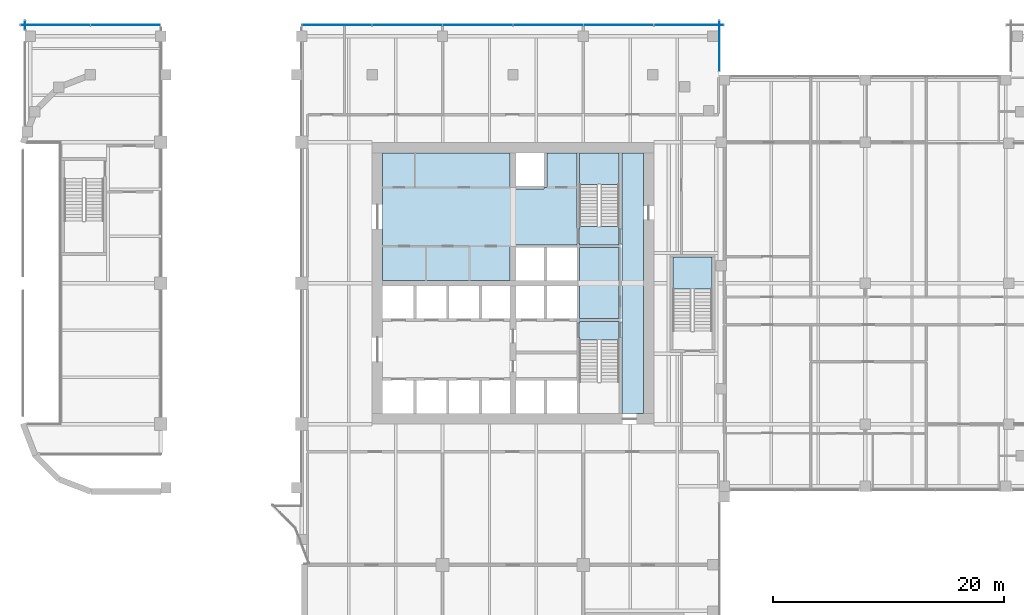
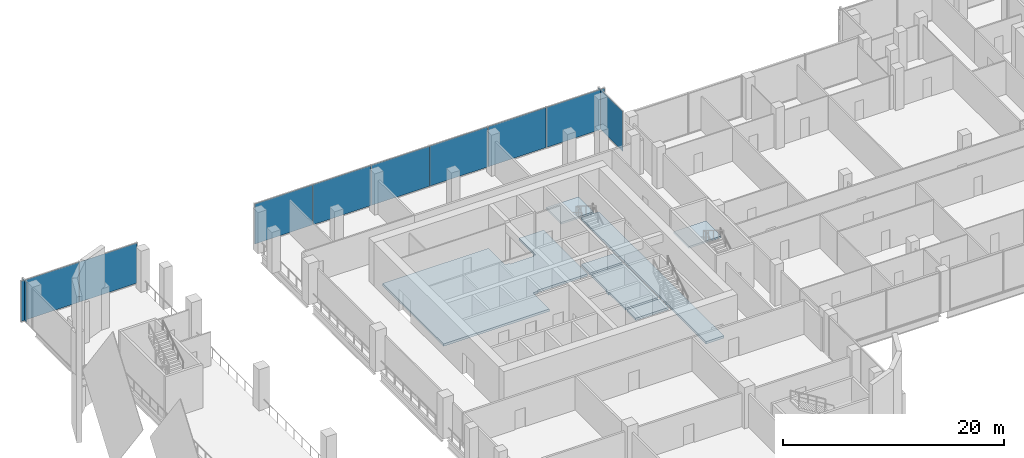
# One storey, part 19 of 33: 10 plates, 7 slabs, 6 elements without a shape of their own.
"""IFC4 building model written with IfcOpenShell, lengths in metres."""

from ifc_helpers import new_model, si_unit, direction, frame, origin, origin_2d, place, context, subcontext, project, spatial, polyline, rectangle, outline, extrude, material, layer, layer_set, type_object, element, aggregate, save


model = new_model("IFC4")

# Units and contexts
model_context = context("Model", 3, precision=1e-05, world=origin(), true_north=direction((0.0, 1.0)))
body_context = subcontext(model_context, "Body", "Model", "MODEL_VIEW")
ifc_project = project(units=[si_unit("LENGTHUNIT", "METRE"), si_unit("AREAUNIT", "SQUARE_METRE"), si_unit("VOLUMEUNIT", "CUBIC_METRE"), si_unit("PLANEANGLEUNIT", "RADIAN"), si_unit("MASSUNIT", "GRAM", prefix="KILO")], contexts=[model_context])

# Site, building, storey
site_placement = place(None, origin())
site = spatial("IfcSite", under=ifc_project, at=site_placement, CompositionType="ELEMENT")
building_placement = place(site_placement, origin())
building = spatial("IfcBuilding", under=site, at=building_placement, Name="Tessera Gate Towers", CompositionType="ELEMENT")
storey_placement = place(building_placement, frame((0.0, 0.0, 7.199951171875)))
storey = spatial("IfcBuildingStorey", under=building, at=storey_placement, Name="L01", CompositionType="ELEMENT", Elevation=7.199951171875)

# Slabs
ifc_material_1 = material(Name="Concrete C35/45", Category="concrete")
ifc_layer_1 = layer(ifc_material_1, 0.25)
ifc_layer_set_1 = layer_set([ifc_layer_1], Name="CORE FLOOR SLAB 250")
slab_type_1 = type_object("IfcSlabType", Name="CORE FLOOR SLAB 250", PredefinedType="FLOOR", material=ifc_layer_set_1)
slab_1_placement = place(storey_placement, frame((0.0, 0.0, -0.25)))
element("IfcSlab", 1, at=slab_1_placement, inside=storey, type_object=slab_type_1, Name="L01 core floor slab", PredefinedType="FLOOR", context=body_context, shape_type="SweptSolid", body=[
    extrude(outline(polyline([(31.39990234375, 47.89990234375), (31.39990234375, 36.85009765625), (42.449951171875, 36.85009765625), (42.449951171875, 39.800048828125), (42.949951171875, 39.800048828125), (42.949951171875, 39.925048828125), (48.22509765625, 39.925048828125), (48.22509765625, 47.89990234375), (45.64990234375, 47.89990234375), (45.64990234375, 44.89990234375), (45.39990234375, 44.89990234375), (45.39990234375, 44.77490234375), (42.949951171875, 44.77490234375), (42.949951171875, 44.89990234375), (42.449951171875, 44.89990234375), (42.449951171875, 47.89990234375), (31.39990234375, 47.89990234375)])), origin(), (0.0, 0.0, 1.0), 0.25),
])
slab_2_placement = place(storey_placement, frame((0.0, 0.0, -0.25)))
element("IfcSlab", 2, at=slab_2_placement, inside=storey, type_object=slab_type_1, Name="L01 core floor slab", PredefinedType="FLOOR", context=body_context, shape_type="SweptSolid", body=[
    extrude(outline(polyline([(52.125, 25.300048828125), (54.0, 25.300048828125), (54.0, 47.89990234375), (52.125, 47.89990234375), (52.125, 25.300048828125)])), origin(), (0.0, 0.0, 1.0), 0.25),
])
slab_3_placement = place(storey_placement, frame((0.0, 0.0, -0.25)))
element("IfcSlab", 3, at=slab_3_placement, inside=storey, type_object=slab_type_1, Name="L01 core floor slab", PredefinedType="FLOOR", context=body_context, shape_type="SweptSolid", body=[
    extrude(outline(polyline([(48.35009765625, 36.85009765625), (48.35009765625, 36.35009765625), (48.47509765625, 36.35009765625), (48.47509765625, 33.52490234375), (51.875, 33.52490234375), (51.875, 39.675048828125), (48.47509765625, 39.675048828125), (48.47509765625, 36.85009765625), (48.35009765625, 36.85009765625)])), origin(), (0.0, 0.0, 1.0), 0.25),
])
slab_4_placement = place(storey_placement, frame((0.0, 0.0, -0.25)))
element("IfcSlab", 4, at=slab_4_placement, inside=storey, type_object=slab_type_1, Name="L01 core floor slab", PredefinedType="FLOOR", context=body_context, shape_type="SweptSolid", body=[
    extrude(outline(polyline([(51.875, 31.675048828125), (51.875, 33.27490234375), (48.47509765625, 33.27490234375), (48.47509765625, 31.675048828125), (51.875, 31.675048828125)])), origin(), (0.0, 0.0, 1.0), 0.25),
])
slab_5_placement = place(storey_placement, frame((0.0, 0.0, -0.25)))
element("IfcSlab", 5, at=slab_5_placement, inside=storey, type_object=slab_type_1, Name="L01 core floor slab", PredefinedType="FLOOR", context=body_context, shape_type="SweptSolid", body=[
    extrude(outline(polyline([(48.47509765625, 41.52490234375), (48.47509765625, 39.925048828125), (51.875, 39.925048828125), (51.875, 41.52490234375), (48.47509765625, 41.52490234375)])), origin(), (0.0, 0.0, 1.0), 0.25),
])

# Stair, slab
ifc_material_2 = material(Name="Concrete C40/50", Category="concrete")
stair_type_1 = type_object("IfcStairType", Name="EXIT STAIR ST2A 1600", PredefinedType="HALF_TURN_STAIR", material=ifc_material_2)
stair_1_placement = place(storey_placement, origin())
stair_1 = element("IfcStair", 6, at=stair_1_placement, inside=storey, type_object=stair_type_1, Name="L01 Protected Exit Stair ST2", PredefinedType="HALF_TURN_STAIR")
ifc_material_3 = material(Name="Concrete C40/50", Category="concrete")
ifc_layer_2 = layer(ifc_material_3, 0.199951171875)
ifc_layer_set_2 = layer_set([ifc_layer_2], Name="EXIT STAIR LANDING 200")
slab_type_2 = type_object("IfcSlabType", Name="EXIT STAIR LANDING 200", PredefinedType="LANDING", material=ifc_layer_set_2)
slab_6_placement = place(storey_placement, frame((0.0, 0.0, 2.199951171875)))
slab_6 = element("IfcSlab", 7, at=slab_6_placement, type_object=slab_type_2, Name="ST2 landing 1", PredefinedType="LANDING", context=body_context, shape_type="SweptSolid", body=[
    extrude(outline(polyline([(51.875, 45.1650390625), (51.875, 47.89990234375), (48.47509765625, 47.89990234375), (48.47509765625, 45.1650390625), (51.875, 45.1650390625)])), origin(), (0.0, 0.0, 1.0), 0.2001953125),
])
aggregate(stair_1, [slab_6])

ifc_material_4 = material(Name="Concrete C40/50", Category="concrete")
stair_type_2 = type_object("IfcStairType", Name="EXIT STAIR ST5A 1600", PredefinedType="HALF_TURN_STAIR", material=ifc_material_4)
stair_2_placement = place(storey_placement, origin())
stair_2 = element("IfcStair", 8, at=stair_2_placement, inside=storey, type_object=stair_type_2, Name="L01 East Exit Stair ST5", PredefinedType="HALF_TURN_STAIR")
slab_7_placement = place(storey_placement, frame((0.0, 0.0, 2.199951171875)))
slab_7 = element("IfcSlab", 9, at=slab_7_placement, type_object=slab_type_2, Name="ST5 landing 1", PredefinedType="LANDING", context=body_context, shape_type="SweptSolid", body=[
    extrude(outline(polyline([(59.949951171875, 36.090087890625), (59.949951171875, 38.85009765625), (56.550048828125, 38.85009765625), (56.550048828125, 36.090087890625), (59.949951171875, 36.090087890625)])), origin(), (0.0, 0.0, 1.0), 0.2001953125),
])
aggregate(stair_2, [slab_7])

# Curtain wall, plate
ifc_material_5 = material(Name="Aluminium frame", Category="aluminium")
curtain_wall_type = type_object("IfcCurtainWallType", Name="CW-S1 podium storefront", PredefinedType="NOTDEFINED", material=ifc_material_5)
curtain_wall_1_placement = place(storey_placement, origin())
curtain_wall_1 = element("IfcCurtainWall", 10, at=curtain_wall_1_placement, inside=storey, type_object=curtain_wall_type, Name="Curtain wall podium storefront 0202", PredefinedType="NOTDEFINED")
ifc_material_6 = material(Name="Low-e laminated glass", Category="glass")
ifc_layer_3 = layer(ifc_material_6, 0.028076171875)
ifc_layer_set_3 = layer_set([ifc_layer_3], Name="PN-S1 glass panel 28")
plate_type = type_object("IfcPlateType", Name="PN-S1 glass panel 28", PredefinedType="CURTAIN_PANEL", material=ifc_layer_set_3)
plate_1_placement = place(storey_placement, frame((60.574951171875, 57.14990234375, 0.06005859375), z_axis=(0.0, 0.0, 1.0), x_axis=(0.0, 1.0, 0.0)))
plate_1 = element("IfcPlate", 11, at=plate_1_placement, type_object=plate_type, Name="PD-CW1-0202 panel 1.1", PredefinedType="CURTAIN_PANEL", context=body_context, shape_type="SweptSolid", body=[
    extrude(rectangle(XDim=4.3798828125, YDim=0.028076171875, at=origin_2d()), origin(), (0.0, 0.0, 1.0), 4.429931640625),
])
aggregate(curtain_wall_1, [plate_1])

# Curtain wall, plates
curtain_wall_2_placement = place(storey_placement, origin())
curtain_wall_2 = element("IfcCurtainWall", 12, at=curtain_wall_2_placement, inside=storey, type_object=curtain_wall_type, Name="Curtain wall podium storefront 0209", PredefinedType="NOTDEFINED")
plate_2_placement = place(storey_placement, frame((57.93505859375, 58.97509765625, 0.06005859375), z_axis=(0.0, 0.0, 1.0), x_axis=(-1.0, 0.0, 0.0)))
plate_2 = element("IfcPlate", 13, at=plate_2_placement, type_object=plate_type, Name="PD-CW1-0209 panel 1.1", PredefinedType="CURTAIN_PANEL", context=body_context, shape_type="SweptSolid", body=[
    extrude(rectangle(XDim=6.010009765625, YDim=0.028076171875, at=origin_2d()), origin(), (0.0, 0.0, 1.0), 4.429931640625),
])
plate_3_placement = place(storey_placement, frame((51.85009765625, 58.97509765625, 0.06005859375), z_axis=(0.0, 0.0, 1.0), x_axis=(-1.0, 0.0, 0.0)))
plate_3 = element("IfcPlate", 14, at=plate_3_placement, type_object=plate_type, Name="PD-CW1-0209 panel 2.1", PredefinedType="CURTAIN_PANEL", context=body_context, shape_type="SweptSolid", body=[
    extrude(rectangle(XDim=6.0400390625, YDim=0.028076171875, at=origin_2d()), origin(), (0.0, 0.0, 1.0), 4.429931640625),
])
plate_4_placement = place(storey_placement, frame((45.75, 58.97509765625, 0.06005859375), z_axis=(0.0, 0.0, 1.0), x_axis=(-1.0, 0.0, 0.0)))
plate_4 = element("IfcPlate", 15, at=plate_4_placement, type_object=plate_type, Name="PD-CW1-0209 panel 3.1", PredefinedType="CURTAIN_PANEL", context=body_context, shape_type="SweptSolid", body=[
    extrude(rectangle(XDim=6.0400390625, YDim=0.028076171875, at=origin_2d()), origin(), (0.0, 0.0, 1.0), 4.429931640625),
])
plate_5_placement = place(storey_placement, frame((39.64990234375, 58.97509765625, 0.06005859375), z_axis=(0.0, 0.0, 1.0), x_axis=(-1.0, 0.0, 0.0)))
plate_5 = element("IfcPlate", 16, at=plate_5_placement, type_object=plate_type, Name="PD-CW1-0209 panel 4.1", PredefinedType="CURTAIN_PANEL", context=body_context, shape_type="SweptSolid", body=[
    extrude(rectangle(XDim=6.0400390625, YDim=0.028076171875, at=origin_2d()), origin(), (0.0, 0.0, 1.0), 4.429931640625),
])
plate_6_placement = place(storey_placement, frame((33.550048828125, 58.97509765625, 0.06005859375), z_axis=(0.0, 0.0, 1.0), x_axis=(-1.0, 0.0, 0.0)))
plate_6 = element("IfcPlate", 17, at=plate_6_placement, type_object=plate_type, Name="PD-CW1-0209 panel 5.1", PredefinedType="CURTAIN_PANEL", context=body_context, shape_type="SweptSolid", body=[
    extrude(rectangle(XDim=6.0400390625, YDim=0.028076171875, at=origin_2d()), origin(), (0.0, 0.0, 1.0), 4.429931640625),
])
plate_7_placement = place(storey_placement, frame((27.465087890625, 58.97509765625, 0.06005859375), z_axis=(0.0, 0.0, 1.0), x_axis=(-1.0, 0.0, 0.0)))
plate_7 = element("IfcPlate", 18, at=plate_7_placement, type_object=plate_type, Name="PD-CW1-0209 panel 6.1", PredefinedType="CURTAIN_PANEL", context=body_context, shape_type="SweptSolid", body=[
    extrude(rectangle(XDim=6.010009765625, YDim=0.028076171875, at=origin_2d()), origin(), (0.0, 0.0, 1.0), 4.429931640625),
])
aggregate(curtain_wall_2, [plate_2, plate_3, plate_4, plate_5, plate_6, plate_7])

curtain_wall_3_placement = place(storey_placement, origin())
curtain_wall_3 = element("IfcCurtainWall", 19, at=curtain_wall_3_placement, inside=storey, type_object=curtain_wall_type, Name="Curtain wall podium storefront 0210", PredefinedType="NOTDEFINED")
plate_8_placement = place(storey_placement, frame((9.135009765625, 58.97509765625, 0.06005859375), z_axis=(0.0, 0.0, 1.0), x_axis=(-1.0, 0.0, 0.0)))
plate_8 = element("IfcPlate", 20, at=plate_8_placement, type_object=plate_type, Name="PD-CW1-0210 panel 1.1", PredefinedType="CURTAIN_PANEL", context=body_context, shape_type="SweptSolid", body=[
    extrude(rectangle(XDim=6.010009765625, YDim=0.028076171875, at=origin_2d()), origin(), (0.0, 0.0, 1.0), 4.429931640625),
])
plate_9_placement = place(storey_placement, frame((3.06494140625, 58.97509765625, 0.06005859375), z_axis=(0.0, 0.0, 1.0), x_axis=(-1.0, 0.0, 0.0)))
plate_9 = element("IfcPlate", 21, at=plate_9_placement, type_object=plate_type, Name="PD-CW1-0210 panel 2.1", PredefinedType="CURTAIN_PANEL", context=body_context, shape_type="SweptSolid", body=[
    extrude(rectangle(XDim=6.010009765625, YDim=0.028076171875, at=origin_2d()), origin(), (0.0, 0.0, 1.0), 4.429931640625),
])
aggregate(curtain_wall_3, [plate_8, plate_9])

# Curtain wall, plate
curtain_wall_4_placement = place(storey_placement, origin())
curtain_wall_4 = element("IfcCurtainWall", 22, at=curtain_wall_4_placement, inside=storey, type_object=curtain_wall_type, Name="Curtain wall podium storefront 0214", PredefinedType="NOTDEFINED")
plate_10_placement = place(storey_placement, frame((0.425048828125, 58.93994140625, 0.06005859375), z_axis=(0.0, 0.0, 1.0), x_axis=(0.0, -1.0, 0.0)))
plate_10 = element("IfcPlate", 23, at=plate_10_placement, type_object=plate_type, Name="PD-CW1-0214 panel 1.1", PredefinedType="CURTAIN_PANEL", context=body_context, shape_type="SweptSolid", body=[
    extrude(rectangle(XDim=0.800048828125, YDim=0.028076171875, at=origin_2d()), origin(), (0.0, 0.0, 1.0), 4.429931640625),
])
aggregate(curtain_wall_4, [plate_10])

save(model, "model.ifc")
